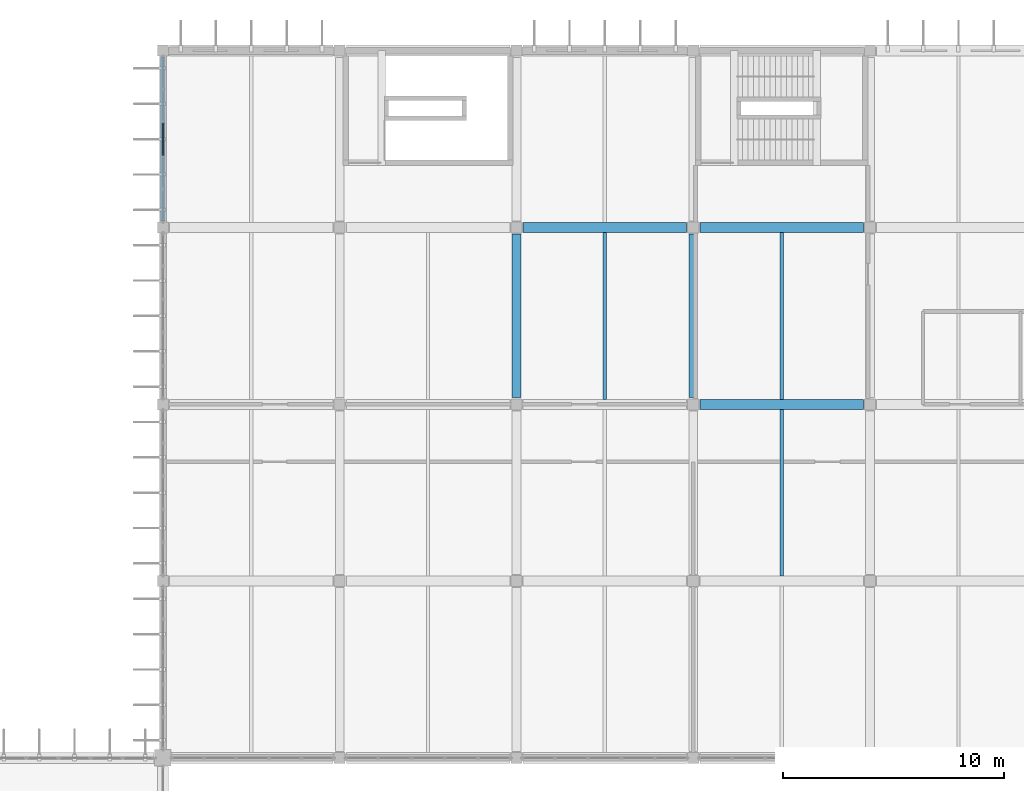
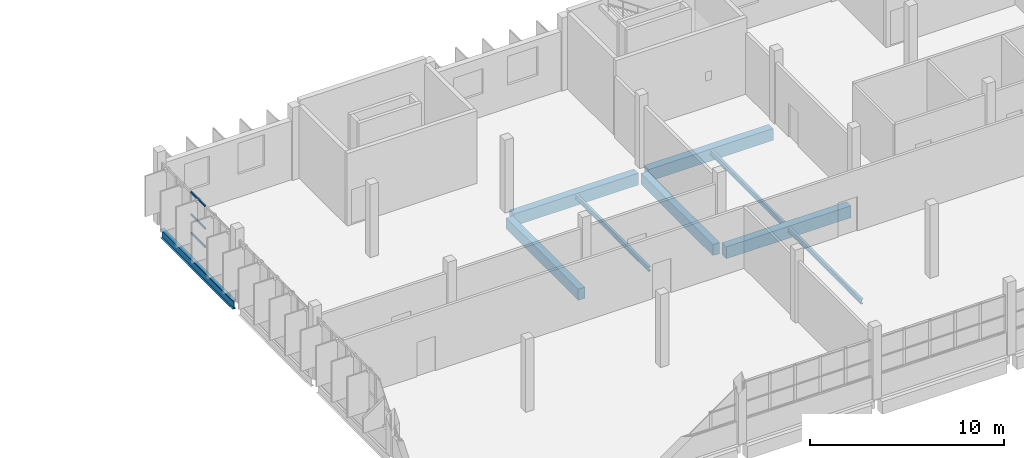
# One storey, part 37 of 93: 9 beams, 3 members, 1 element without a shape of its own.
"""IFC4 building model written with IfcOpenShell, lengths in metres."""

from ifc_helpers import new_model, si_unit, direction, frame, origin, origin_2d, place, context, subcontext, project, spatial, rectangle, i_section, extrude, material, layer, layer_set, material_profile, profile_set, type_object, element, aggregate, save


model = new_model("IFC4")

# Units and contexts
model_context = context("Model", 3, precision=1e-05, world=origin(), true_north=direction((0.0, 1.0)))
body_context = subcontext(model_context, "Body", "Model", "MODEL_VIEW")
ifc_project = project(units=[si_unit("LENGTHUNIT", "METRE"), si_unit("AREAUNIT", "SQUARE_METRE"), si_unit("VOLUMEUNIT", "CUBIC_METRE"), si_unit("PLANEANGLEUNIT", "RADIAN"), si_unit("MASSUNIT", "GRAM", prefix="KILO")], contexts=[model_context])

# Site, building, storey
site_placement = place(None, origin())
site = spatial("IfcSite", under=ifc_project, at=site_placement, CompositionType="ELEMENT")
building_placement = place(site_placement, origin())
building = spatial("IfcBuilding", under=site, at=building_placement, Name="Drelvana Railside Aquatics Centre", CompositionType="ELEMENT")
storey_placement = place(building_placement, frame((0.0, 0.0, 5.39990234375)))
storey = spatial("IfcBuildingStorey", under=building, at=storey_placement, Name="L01", CompositionType="ELEMENT", Elevation=5.39990234375)

# Curtain wall, members
ifc_material_1 = material(Name="Bronze-anodised aluminium curtain wall", Category="aluminium")
ifc_layer = layer(ifc_material_1, 0.1650390625, Name="Bronze-anodised aluminium curtain wall")
ifc_layer_set = layer_set([ifc_layer], Name="Bronze-anodised aluminium curtain wall")
curtain_wall_type = type_object("IfcCurtainWallType", Name="CW-Z5-COURT", PredefinedType="NOTDEFINED", material=ifc_layer_set)
curtain_wall_placement = place(storey_placement, origin())
curtain_wall = element("IfcCurtainWall", 1, at=curtain_wall_placement, inside=storey, type_object=curtain_wall_type, Name="Curtain wall CW-05-134", PredefinedType="NOTDEFINED")
ifc_material_2 = material(Name="Bronze-anodised aluminium 6063-T6", Category="aluminium")
ifc_material_profile_1 = material_profile(ifc_material_2, rectangle(XDim=0.1201171875, YDim=0.06005859375, at=origin_2d()), Name="ALU-T 60x120")
ifc_profile_set_1 = profile_set([ifc_material_profile_1], Name="Bronze-anodised aluminium 6063-T6")
member_type = type_object("IfcMemberType", Name="CW-Z5-COURT-TRN", PredefinedType="USERDEFINED", material=ifc_profile_set_1)
member_1_placement = place(storey_placement, frame((96.0, 111.273681640625, 1.274169921875), z_axis=(0.0, 1.0, 0.0), x_axis=(0.0, 0.0, 1.0)))
member_1 = element("IfcMember", 2, at=member_1_placement, type_object=member_type, Name="CW-05 transom 3.1", ObjectType="TRANSOM", PredefinedType="USERDEFINED", context=body_context, shape_type="SweptSolid", body=[
    extrude(rectangle(XDim=0.1201171875, YDim=0.06005859375, at=origin_2d()), origin(), (0.0, 0.0, 1.0), 1.45263671875),
])
member_2_placement = place(storey_placement, frame((96.0, 111.273681640625, 2.4169921875), z_axis=(0.0, 1.0, 0.0), x_axis=(0.0, 0.0, 1.0)))
member_2 = element("IfcMember", 3, at=member_2_placement, type_object=member_type, Name="CW-05 transom 3.2", ObjectType="TRANSOM", PredefinedType="USERDEFINED", context=body_context, shape_type="SweptSolid", body=[
    extrude(rectangle(XDim=0.1201171875, YDim=0.06005859375, at=origin_2d()), origin(), (0.0, 0.0, 1.0), 1.45263671875),
])
member_3_placement = place(storey_placement, frame((96.0, 111.273681640625, 3.820068359375), z_axis=(0.0, 1.0, 0.0), x_axis=(0.0, 0.0, 1.0)))
member_3 = element("IfcMember", 4, at=member_3_placement, type_object=member_type, Name="CW-05 transom 3.3", ObjectType="TRANSOM", PredefinedType="USERDEFINED", context=body_context, shape_type="SweptSolid", body=[
    extrude(rectangle(XDim=0.1201171875, YDim=0.06005859375, at=origin_2d()), origin(), (0.0, 0.0, 1.0), 1.45263671875),
])
aggregate(curtain_wall, [member_1, member_2, member_3])

# Beams
ifc_material_3 = material(Name="Concrete C40/50", Category="concrete")
ifc_material_profile_2 = material_profile(ifc_material_3, rectangle(XDim=0.39990234375, YDim=0.699951171875, at=origin_2d()), Name="RC 400x700")
ifc_profile_set_2 = profile_set([ifc_material_profile_2], Name="Concrete C40/50")
beam_type_1 = type_object("IfcBeamType", Name="STR-BM-BM-03-RC-400x700", PredefinedType="BEAM", material=ifc_profile_set_2)
for number, where, z_axis, x_axis, name in (
    (5, (112.0, 100.300048828125, -0.625), (0.0, 1.0, 0.0), (-1.0, 0.0, 0.0), "Girder BM-03 (L01)"),
    (6, (120.0, 100.300048828125, -0.625), (0.0, 1.0, 0.0), (-1.0, 0.0, 0.0), "Girder BM-03 (L01)"),
):
    element("IfcBeam", number, at=place(storey_placement, frame(where, z_axis=z_axis, x_axis=x_axis)), inside=storey, type_object=beam_type_1, Name=name, PredefinedType="BEAM", context=body_context, shape_type="SweptSolid", body=[
        extrude(rectangle(XDim=0.39990234375, YDim=0.699951171875, at=origin_2d()), origin(), (0.0, 0.0, 1.0), 7.39990234375),
    ])
ifc_material_profile_3 = material_profile(ifc_material_3, rectangle(XDim=0.449951171875, YDim=0.75, at=origin_2d()), Name="RC 450x750")
ifc_profile_set_3 = profile_set([ifc_material_profile_3], Name="Concrete C40/50")
beam_type_2 = type_object("IfcBeamType", Name="STR-BM-BM-04-RC-450x750", PredefinedType="BEAM", material=ifc_profile_set_3)
for number, where, z_axis, x_axis, name in (
    (7, (120.300048828125, 100.0, -0.64990234375), (1.0, 0.0, 0.0), (0.0, 1.0, 0.0), "Girder BM-04 (L01)"),
    (8, (112.300048828125, 108.0, -0.64990234375), (1.0, 0.0, 0.0), (0.0, 1.0, 0.0), "Girder BM-04 (L01)"),
    (9, (120.300048828125, 108.0, -0.64990234375), (1.0, 0.0, 0.0), (0.0, 1.0, 0.0), "Girder BM-04 (L01)"),
):
    element("IfcBeam", number, at=place(storey_placement, frame(where, z_axis=z_axis, x_axis=x_axis)), inside=storey, type_object=beam_type_2, Name=name, PredefinedType="BEAM", context=body_context, shape_type="SweptSolid", body=[
        extrude(rectangle(XDim=0.449951171875, YDim=0.75, at=origin_2d()), origin(), (0.0, 0.0, 1.0), 7.39990234375),
    ])
ifc_material_4 = material(Name="Structural steel S355", Category="steel")
ifc_material_profile_4 = material_profile(ifc_material_4, i_section(OverallWidth=0.2099609375, OverallDepth=0.550048828125, WebThickness=0.010986328125, FlangeThickness=0.01708984375, at=origin_2d()), Name="IPE 550")
ifc_profile_set_4 = profile_set([ifc_material_profile_4], Name="Structural steel S355")
beam_type_3 = type_object("IfcBeamType", Name="STR-SBM-SB-04-IPE-550", PredefinedType="SPANDREL", material=ifc_profile_set_4)
beam_placement = place(storey_placement, frame((96.0, 108.300048828125, -0.5498046875), z_axis=(0.0, 1.0, 0.0), x_axis=(-1.0, 0.0, 0.0)))
element("IfcBeam", 10, at=beam_placement, inside=storey, type_object=beam_type_3, Name="Girder SB-04 (L01)", PredefinedType="SPANDREL", context=body_context, shape_type="SweptSolid", body=[
    extrude(i_section(OverallWidth=0.2099609375, OverallDepth=0.550048828125, WebThickness=0.010986328125, FlangeThickness=0.01708984375, at=origin_2d()), origin(), (0.0, 0.0, 1.0), 7.39990234375),
])
ifc_material_profile_5 = material_profile(ifc_material_4, i_section(OverallWidth=0.14990234375, OverallDepth=0.300048828125, WebThickness=0.007080078125, FlangeThickness=0.0107421875, at=origin_2d()), Name="IPE 300")
ifc_profile_set_5 = profile_set([ifc_material_profile_5], Name="Structural steel S355")
beam_type_4 = type_object("IfcBeamType", Name="STR-SBM-SJ-03-IPE-300", PredefinedType="JOIST", material=ifc_profile_set_5)
for number, where, z_axis, x_axis, name in (
    (11, (116.0, 100.22509765625, -0.4248046875), (0.0, 1.0, 0.0), (-1.0, 0.0, 0.0), "Secondary floor joist SJ-03 (L01)"),
    (12, (124.0, 92.22509765625, -0.4248046875), (0.0, 1.0, 0.0), (-1.0, 0.0, 0.0), "Secondary floor joist SJ-03 (L01)"),
    (13, (124.0, 100.22509765625, -0.4248046875), (0.0, 1.0, 0.0), (-1.0, 0.0, 0.0), "Secondary floor joist SJ-03 (L01)"),
):
    element("IfcBeam", number, at=place(storey_placement, frame(where, z_axis=z_axis, x_axis=x_axis)), inside=storey, type_object=beam_type_4, Name=name, PredefinedType="JOIST", context=body_context, shape_type="SweptSolid", body=[
        extrude(i_section(OverallWidth=0.14990234375, OverallDepth=0.300048828125, WebThickness=0.007080078125, FlangeThickness=0.0107421875, at=origin_2d()), origin(), (0.0, 0.0, 1.0), 7.5498046875),
    ])

save(model, "model.ifc")
